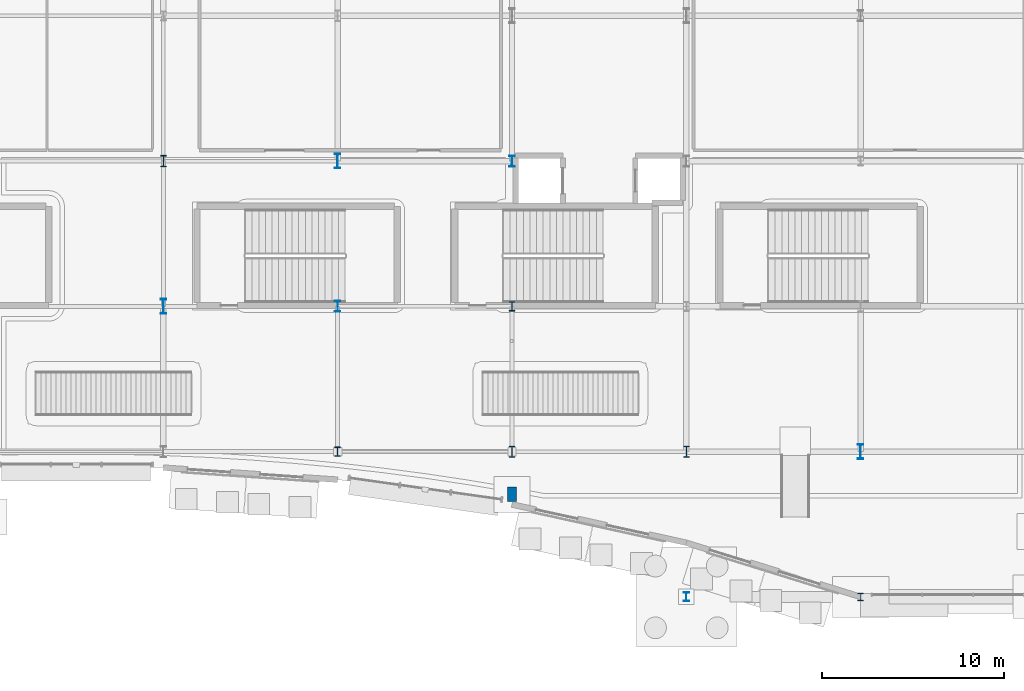
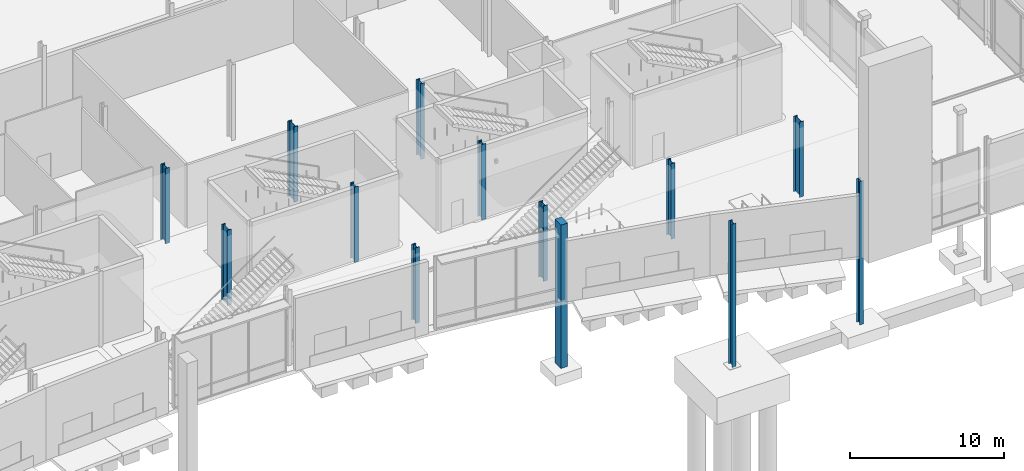
# One storey, part 10 of 124: 13 columns.
"""IFC4 building model written with IfcOpenShell, lengths in metres."""

from ifc_helpers import new_model, si_unit, direction, frame, origin, origin_2d, place, context, subcontext, project, spatial, rectangle, i_section, extrude, material, material_profile, profile_set, type_object, element, save


model = new_model("IFC4")

# Units and contexts
model_context = context("Model", 3, precision=1e-05, world=origin(), true_north=direction((0.0, 1.0)))
body_context = subcontext(model_context, "Body", "Model", "MODEL_VIEW")
ifc_project = project(units=[si_unit("LENGTHUNIT", "METRE"), si_unit("AREAUNIT", "SQUARE_METRE"), si_unit("VOLUMEUNIT", "CUBIC_METRE"), si_unit("PLANEANGLEUNIT", "RADIAN"), si_unit("MASSUNIT", "GRAM", prefix="KILO")], contexts=[model_context])

# Site, building, storey
site_placement = place(None, origin())
site = spatial("IfcSite", under=ifc_project, at=site_placement, CompositionType="ELEMENT")
building_placement = place(site_placement, origin())
building = spatial("IfcBuilding", under=site, at=building_placement, Name="Danafjord Basin Convention Centre", CompositionType="ELEMENT")
storey_placement = place(building_placement, origin())
storey = spatial("IfcBuildingStorey", under=building, at=storey_placement, Name="L00", CompositionType="ELEMENT", Elevation=0.0)

# Columns
ifc_material_1 = material(Name="Steel S355", Category="steel")
ifc_material_profile_1 = material_profile(ifc_material_1, i_section(OverallWidth=0.300048828125, OverallDepth=0.39990234375, WebThickness=0.013427734375, FlangeThickness=0.02392578125, FilletRadius=0.027099609375, at=origin_2d()), Name="HEB 400")
ifc_profile_set_1 = profile_set([ifc_material_profile_1], Name="Steel S355")
column_type_1 = type_object("IfcColumnType", Name="COL-C-HEB400", PredefinedType="COLUMN", material=ifc_profile_set_1)
column_1_placement = place(storey_placement, frame((105.60009765625, 0.0, -5.39990234375), z_axis=(0.0, 0.0, 1.0), x_axis=(1.0, 0.0, 0.0)))
element("IfcColumn", 1, at=column_1_placement, inside=storey, type_object=column_type_1, Name="L00 column C-HEB400 at (105.6, 0.0)", PredefinedType="COLUMN", context=body_context, shape_type="SweptSolid", body=[
    extrude(i_section(OverallWidth=0.300048828125, OverallDepth=0.39990234375, WebThickness=0.013427734375, FlangeThickness=0.02392578125, FilletRadius=0.027099609375, at=origin_2d()), origin(), (0.0, 0.0, 1.0), 11.39990234375),
])
ifc_material_profile_2 = material_profile(ifc_material_1, i_section(OverallWidth=0.300048828125, OverallDepth=0.5, WebThickness=0.014404296875, FlangeThickness=0.028076171875, FilletRadius=0.027099609375, at=origin_2d()), Name="HEB 500")
ifc_profile_set_2 = profile_set([ifc_material_profile_2], Name="Steel S355")
column_type_2 = type_object("IfcColumnType", Name="COL-C-HEB500", PredefinedType="COLUMN", material=ifc_profile_set_2)
column_2_placement = place(storey_placement, frame((96.0, 0.0, -5.39990234375), z_axis=(0.0, 0.0, 1.0), x_axis=(1.0, 0.0, 0.0)))
element("IfcColumn", 2, at=column_2_placement, inside=storey, type_object=column_type_2, Name="L00 column C-HEB500 at (96.0, 0.0)", PredefinedType="COLUMN", context=body_context, shape_type="SweptSolid", body=[
    extrude(i_section(OverallWidth=0.300048828125, OverallDepth=0.5, WebThickness=0.014404296875, FlangeThickness=0.028076171875, FilletRadius=0.027099609375, at=origin_2d()), origin(), (0.0, 0.0, 1.0), 11.39990234375),
])
ifc_material_profile_3 = material_profile(ifc_material_1, i_section(OverallWidth=0.300048828125, OverallDepth=0.60009765625, WebThickness=0.015380859375, FlangeThickness=0.030029296875, FilletRadius=0.027099609375, at=origin_2d()), Name="HEB 600")
ifc_profile_set_3 = profile_set([ifc_material_profile_3], Name="Steel S355")
column_type_3 = type_object("IfcColumnType", Name="COL-C-HEB600", PredefinedType="COLUMN", material=ifc_profile_set_3)
for number, where, z_axis, x_axis, name in (
    (3, (76.800048828125, 16.0, 0.0), (0.0, 0.0, 1.0), (1.0, 0.0, 0.0), "L00 column C-HEB600 at (76.8, 16.0)"),
    (4, (86.39990234375, 24.0, 0.0), (0.0, 0.0, 1.0), (1.0, 0.0, 0.0), "L00 column C-HEB600 at (86.4, 24.0)"),
):
    element("IfcColumn", number, at=place(storey_placement, frame(where, z_axis=z_axis, x_axis=x_axis)), inside=storey, type_object=column_type_3, Name=name, PredefinedType="COLUMN", context=body_context, shape_type="SweptSolid", body=[
        extrude(i_section(OverallWidth=0.300048828125, OverallDepth=0.60009765625, WebThickness=0.015380859375, FlangeThickness=0.030029296875, FilletRadius=0.027099609375, at=origin_2d()), origin(), (0.0, 0.0, 1.0), 6.0),
    ])
ifc_material_profile_4 = material_profile(ifc_material_1, i_section(OverallWidth=0.305908203125, OverallDepth=0.52392578125, WebThickness=0.02099609375, FlangeThickness=0.0400390625, FilletRadius=0.027099609375, at=origin_2d()), Name="HEM 500")
ifc_profile_set_4 = profile_set([ifc_material_profile_4], Name="Steel S355")
column_type_4 = type_object("IfcColumnType", Name="COL-C-HEM500", PredefinedType="COLUMN", material=ifc_profile_set_4)
for number, where, z_axis, x_axis, name in (
    (5, (76.800048828125, 8.0, 0.0), (0.0, 0.0, 1.0), (1.0, 0.0, 0.0), "L00 column C-HEM500 at (76.8, 8.0)"),
    (6, (86.39990234375, 16.0, 0.0), (0.0, 0.0, 1.0), (1.0, 0.0, 0.0), "L00 column C-HEM500 at (86.4, 16.0)"),
):
    element("IfcColumn", number, at=place(storey_placement, frame(where, z_axis=z_axis, x_axis=x_axis)), inside=storey, type_object=column_type_4, Name=name, PredefinedType="COLUMN", context=body_context, shape_type="SweptSolid", body=[
        extrude(i_section(OverallWidth=0.305908203125, OverallDepth=0.52392578125, WebThickness=0.02099609375, FlangeThickness=0.0400390625, FilletRadius=0.027099609375, at=origin_2d()), origin(), (0.0, 0.0, 1.0), 6.0),
    ])
ifc_material_profile_5 = material_profile(ifc_material_1, i_section(OverallWidth=0.304931640625, OverallDepth=0.6201171875, WebThickness=0.02099609375, FlangeThickness=0.0400390625, FilletRadius=0.027099609375, at=origin_2d()), Name="HEM 600")
ifc_profile_set_5 = profile_set([ifc_material_profile_5], Name="Steel S355")
column_type_5 = type_object("IfcColumnType", Name="COL-C-HEM600", PredefinedType="COLUMN", material=ifc_profile_set_5)
for number, where, z_axis, x_axis, name in (
    (7, (67.199951171875, 24.0, 0.0), (0.0, 0.0, 1.0), (1.0, 0.0, 0.0), "L00 column C-HEM600 at (67.2, 24.0)"),
    (8, (86.39990234375, 8.0, 0.0), (0.0, 0.0, 1.0), (1.0, 0.0, 0.0), "L00 column C-HEM600 at (86.4, 8.0)"),
    (9, (96.0, 8.0, 0.0), (0.0, 0.0, 1.0), (1.0, 0.0, 0.0), "L00 column C-HEM600 at (96.0, 8.0)"),
):
    element("IfcColumn", number, at=place(storey_placement, frame(where, z_axis=z_axis, x_axis=x_axis)), inside=storey, type_object=column_type_5, Name=name, PredefinedType="COLUMN", context=body_context, shape_type="SweptSolid", body=[
        extrude(i_section(OverallWidth=0.304931640625, OverallDepth=0.6201171875, WebThickness=0.02099609375, FlangeThickness=0.0400390625, FilletRadius=0.027099609375, at=origin_2d()), origin(), (0.0, 0.0, 1.0), 6.0),
    ])
ifc_material_profile_6 = material_profile(ifc_material_1, i_section(OverallWidth=0.302978515625, OverallDepth=0.81396484375, WebThickness=0.02099609375, FlangeThickness=0.0400390625, FilletRadius=0.030029296875, at=origin_2d()), Name="HEM 800")
ifc_profile_set_6 = profile_set([ifc_material_profile_6], Name="Steel S355")
column_type_6 = type_object("IfcColumnType", Name="COL-C-HEM800", PredefinedType="COLUMN", material=ifc_profile_set_6)
for number, where, z_axis, x_axis, name in (
    (10, (67.199951171875, 16.0, 0.0), (0.0, 0.0, 1.0), (1.0, 0.0, 0.0), "L00 column C-HEM800 at (67.2, 16.0)"),
    (11, (76.800048828125, 24.0, 0.0), (0.0, 0.0, 1.0), (1.0, 0.0, 0.0), "L00 column C-HEM800 at (76.8, 24.0)"),
    (12, (105.60009765625, 8.0, 0.0), (0.0, 0.0, 1.0), (1.0, 0.0, 0.0), "L00 column C-HEM800 at (105.6, 8.0)"),
):
    element("IfcColumn", number, at=place(storey_placement, frame(where, z_axis=z_axis, x_axis=x_axis)), inside=storey, type_object=column_type_6, Name=name, PredefinedType="COLUMN", context=body_context, shape_type="SweptSolid", body=[
        extrude(i_section(OverallWidth=0.302978515625, OverallDepth=0.81396484375, WebThickness=0.02099609375, FlangeThickness=0.0400390625, FilletRadius=0.030029296875, at=origin_2d()), origin(), (0.0, 0.0, 1.0), 6.0),
    ])
ifc_material_2 = material(Name="Precast concrete C45/55", Category="concrete")
ifc_material_profile_7 = material_profile(ifc_material_2, rectangle(XDim=0.5, YDim=0.800048828125, at=origin_2d()), Name="PCB 500x800")
ifc_profile_set_7 = profile_set([ifc_material_profile_7], Name="Precast concrete C45/55")
column_type_7 = type_object("IfcColumnType", Name="COL-C-PIL800", PredefinedType="PILASTER", material=ifc_profile_set_7)
column_3_placement = place(storey_placement, frame((86.39990234375, 5.64306640625, -5.39990234375), z_axis=(0.0, 0.0, 1.0), x_axis=(1.0, 0.0, 0.0)))
element("IfcColumn", 13, at=column_3_placement, inside=storey, type_object=column_type_7, Name="L00 column C-PIL800 at (86.4, 5.6)", PredefinedType="PILASTER", context=body_context, shape_type="SweptSolid", body=[
    extrude(rectangle(XDim=0.5, YDim=0.800048828125, at=origin_2d()), origin(), (0.0, 0.0, 1.0), 11.39990234375),
])

save(model, "model.ifc")
